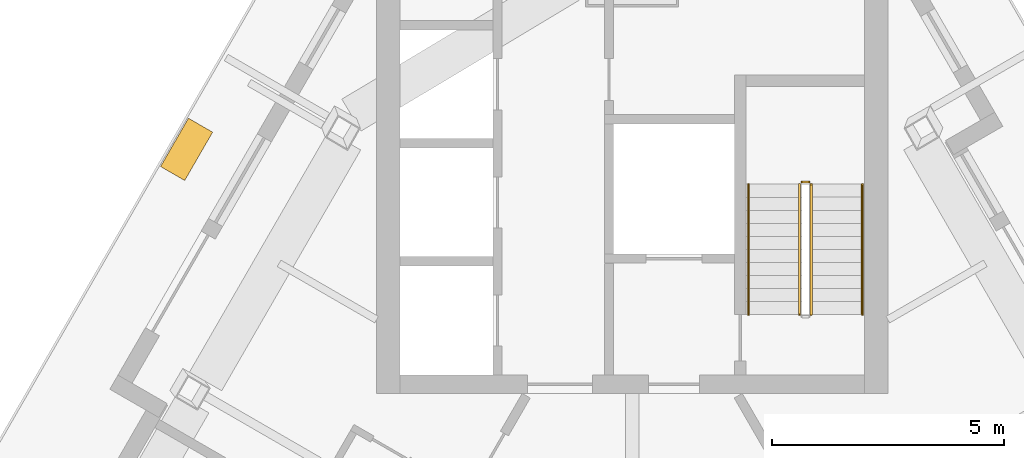
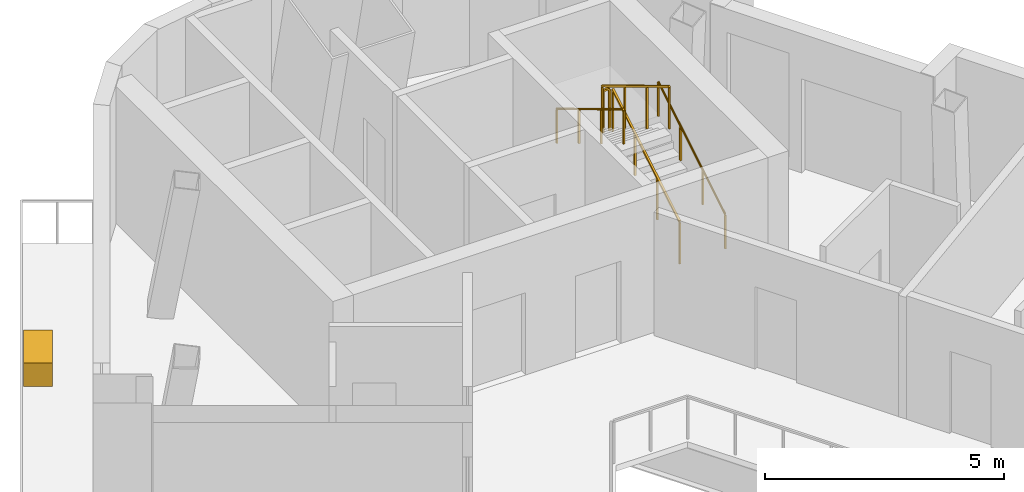
# One storey, part 11 of 11: 5 railings, 1 covering.
"""IFC4 building model written with IfcOpenShell, lengths in metres."""

from ifc_helpers import new_model, si_unit, direction, frame, origin, origin_2d, place, context, subcontext, project, spatial, rectangle, circle, extrude, material, type_object, element, save


model = new_model("IFC4")

# Units and contexts
model_context = context("Model", 3, precision=1e-05, world=origin(), true_north=direction((0.0, 1.0)))
body_context = subcontext(model_context, "Body", "Model", "MODEL_VIEW")
ifc_project = project(units=[si_unit("LENGTHUNIT", "METRE"), si_unit("AREAUNIT", "SQUARE_METRE"), si_unit("VOLUMEUNIT", "CUBIC_METRE"), si_unit("PLANEANGLEUNIT", "RADIAN"), si_unit("MASSUNIT", "GRAM", prefix="KILO")], contexts=[model_context])

# Site, building, storey
site_placement = place(None, origin())
site = spatial("IfcSite", under=ifc_project, at=site_placement, CompositionType="ELEMENT")
building_placement = place(site_placement, origin())
building = spatial("IfcBuilding", under=site, at=building_placement, Name="Apuvela Tower Hotel", CompositionType="ELEMENT")
storey_placement = place(building_placement, frame((0.0, 0.0, 320.699951171875)))
storey = spatial("IfcBuildingStorey", under=building, at=storey_placement, Name="L80", CompositionType="ELEMENT", Elevation=320.699951171875)

# Railings
ifc_material_1 = material(Name="Steel S275 balustrade", Category="steel")
railing_type_1 = type_object("IfcRailingType", Name="COR-GUARD-1100", PredefinedType="GUARDRAIL", material=ifc_material_1)
railing_1_placement = place(storey_placement, frame((3.85009765625, 14.60009765625, 0.168212890625)))
element("IfcRailing", 1, at=railing_1_placement, inside=storey, type_object=railing_type_1, Name="L80 ST1 stair guard 1", PredefinedType="GUARDRAIL", context=body_context, shape_type="SweptSolid", body=[
    extrude(rectangle(XDim=0.048095703125, YDim=0.048095703125, at=origin_2d()), frame((0.0, 0.0, 1.076171875), z_axis=(0.0, 0.857222391501, 0.514946377315), x_axis=(-1.0, 0.0, 0.0)), (0.0, 0.0, 1.0), 3.26611328125),
    extrude(rectangle(XDim=0.0419921875, YDim=0.0419921875, at=origin_2d()), origin(), (0.0, 0.0, 1.0), 1.052001953125),
    extrude(rectangle(XDim=0.0419921875, YDim=0.0419921875, at=origin_2d()), frame((0.0, 0.933349609375, 0.560546875)), (0.0, 0.0, 1.0), 1.052001953125),
    extrude(rectangle(XDim=0.0419921875, YDim=0.0419921875, at=origin_2d()), frame((0.0, 1.866455078125, 1.121337890625)), (0.0, 0.0, 1.0), 1.052001953125),
    extrude(rectangle(XDim=0.0419921875, YDim=0.0419921875, at=origin_2d()), frame((0.0, 2.7998046875, 1.681884765625)), (0.0, 0.0, 1.0), 1.052001953125),
])
railing_2_placement = place(storey_placement, frame((3.800048828125, 17.449951171875, 1.85009765625)))
element("IfcRailing", 2, at=railing_2_placement, inside=storey, type_object=railing_type_1, Name="L80 ST1 stair guard 2", PredefinedType="GUARDRAIL", context=body_context, shape_type="SweptSolid", body=[
    extrude(rectangle(XDim=0.048095703125, YDim=0.048095703125, at=origin_2d()), frame((0.0, 0.0, 1.076171875), z_axis=(-1.0, 0.0, 0.0), x_axis=(0.0, -1.0, 0.0)), (0.0, 0.0, 1.0), 0.150146484375),
    extrude(rectangle(XDim=0.0419921875, YDim=0.0419921875, at=origin_2d()), origin(), (0.0, 0.0, 1.0), 1.052001953125),
    extrude(rectangle(XDim=0.0419921875, YDim=0.0419921875, at=origin_2d()), frame((-0.150146484375, 0.0, 0.0)), (0.0, 0.0, 1.0), 1.052001953125),
])
railing_3_placement = place(storey_placement, frame((3.60009765625, 17.39990234375, 2.018310546875)))
element("IfcRailing", 3, at=railing_3_placement, inside=storey, type_object=railing_type_1, Name="L80 ST1 stair guard 3", PredefinedType="GUARDRAIL", context=body_context, shape_type="SweptSolid", body=[
    extrude(rectangle(XDim=0.048095703125, YDim=0.048095703125, at=origin_2d()), frame((0.0, 0.0, 1.076171875), z_axis=(0.0, -0.857255387014, 0.514891446264), x_axis=(1.0, 0.0, 0.0)), (0.0, 0.0, 1.0), 3.26611328125),
    extrude(rectangle(XDim=0.0419921875, YDim=0.0419921875, at=origin_2d()), origin(), (0.0, 0.0, 1.0), 1.052001953125),
    extrude(rectangle(XDim=0.0419921875, YDim=0.0419921875, at=origin_2d()), frame((0.0, -0.933349609375, 0.560546875)), (0.0, 0.0, 1.0), 1.052001953125),
    extrude(rectangle(XDim=0.0419921875, YDim=0.0419921875, at=origin_2d()), frame((0.0, -1.866455078125, 1.12109375)), (0.0, 0.0, 1.0), 1.052001953125),
    extrude(rectangle(XDim=0.0419921875, YDim=0.0419921875, at=origin_2d()), frame((0.0, -2.7998046875, 1.681640625)), (0.0, 0.0, 1.0), 1.052001953125),
])
ifc_material_2 = material(Name="Stainless steel 316 handrail", Category="steel")
railing_type_2 = type_object("IfcRailingType", Name="COR-HANDRAIL-900", PredefinedType="HANDRAIL", material=ifc_material_2)
railing_4_placement = place(storey_placement, frame((4.949951171875, 14.60009765625, 0.168212890625)))
element("IfcRailing", 4, at=railing_4_placement, inside=storey, type_object=railing_type_2, Name="L80 ST1 stair handrail 1", PredefinedType="HANDRAIL", context=body_context, shape_type="SweptSolid", body=[
    extrude(circle(Radius=0.02392578125, at=origin_2d()), frame((0.0, 0.0, 0.8759765625), z_axis=(0.0, 0.857222391501, 0.514946377315), x_axis=(-1.0, 0.0, 0.0)), (0.0, 0.0, 1.0), 3.26611328125),
    extrude(rectangle(XDim=0.0419921875, YDim=0.0419921875, at=origin_2d()), origin(), (0.0, 0.0, 1.0), 0.851806640625),
    extrude(rectangle(XDim=0.0419921875, YDim=0.0419921875, at=origin_2d()), frame((0.0, 0.933349609375, 0.560546875)), (0.0, 0.0, 1.0), 0.851806640625),
    extrude(rectangle(XDim=0.0419921875, YDim=0.0419921875, at=origin_2d()), frame((0.0, 1.866455078125, 1.121337890625)), (0.0, 0.0, 1.0), 0.851806640625),
    extrude(rectangle(XDim=0.0419921875, YDim=0.0419921875, at=origin_2d()), frame((0.0, 2.7998046875, 1.681884765625)), (0.0, 0.0, 1.0), 0.851806640625),
])
railing_5_placement = place(storey_placement, frame((2.5, 17.39990234375, 2.018310546875)))
element("IfcRailing", 5, at=railing_5_placement, inside=storey, type_object=railing_type_2, Name="L80 ST1 stair handrail 2", PredefinedType="HANDRAIL", context=body_context, shape_type="SweptSolid", body=[
    extrude(circle(Radius=0.02392578125, at=origin_2d()), frame((0.0, 0.0, 0.8759765625), z_axis=(0.0, -0.857255387014, 0.514891446264), x_axis=(1.0, 0.0, 0.0)), (0.0, 0.0, 1.0), 3.26611328125),
    extrude(rectangle(XDim=0.0419921875, YDim=0.0419921875, at=origin_2d()), origin(), (0.0, 0.0, 1.0), 0.851806640625),
    extrude(rectangle(XDim=0.0419921875, YDim=0.0419921875, at=origin_2d()), frame((0.0, -0.933349609375, 0.560546875)), (0.0, 0.0, 1.0), 0.851806640625),
    extrude(rectangle(XDim=0.0419921875, YDim=0.0419921875, at=origin_2d()), frame((0.0, -1.866455078125, 1.12109375)), (0.0, 0.0, 1.0), 0.851806640625),
    extrude(rectangle(XDim=0.0419921875, YDim=0.0419921875, at=origin_2d()), frame((0.0, -2.7998046875, 1.681640625)), (0.0, 0.0, 1.0), 0.851806640625),
])

# Covering
ifc_material_3 = material(Name="Planting substrate and soil, planted")
covering_type = type_object("IfcCoveringType", Name="ENV-PLANTER-1200x600", PredefinedType="USERDEFINED", material=ifc_material_3)
covering_placement = place(storey_placement, frame((-9.5869140625, 18.14990234375, 0.0), z_axis=(0.0, 0.0, 1.0), x_axis=(-0.5, -0.866025403784, 0.0)))
element("IfcCovering", 6, at=covering_placement, inside=storey, type_object=covering_type, Name="Planter NW5", ObjectType="PLANTER", PredefinedType="USERDEFINED", context=body_context, shape_type="SweptSolid", body=[
    extrude(rectangle(XDim=1.199951171875, YDim=0.60009765625, at=origin_2d()), origin(), (0.0, 0.0, 1.0), 0.60009765625),
])

save(model, "model.ifc")
